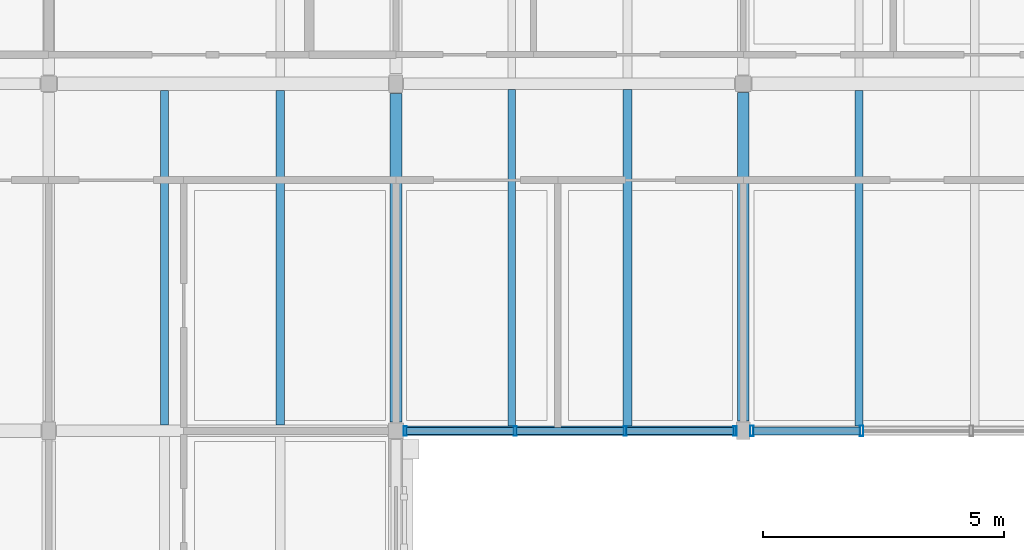
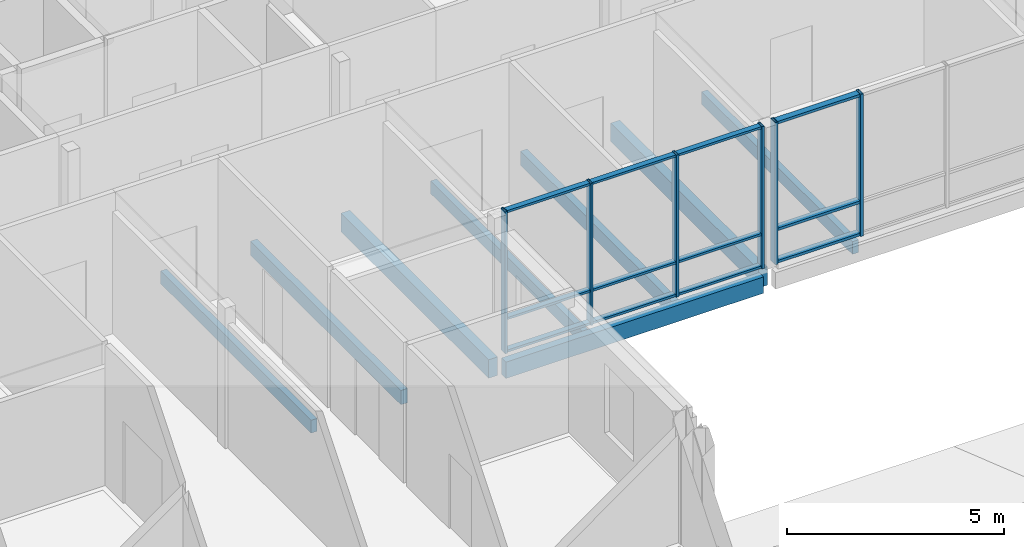
# One storey, part 20 of 115: 18 members, 8 beams, 2 elements without a shape of their own.
"""IFC4 building model written with IfcOpenShell, lengths in metres."""

from ifc_helpers import new_model, si_unit, direction, frame, origin, origin_2d, place, context, subcontext, project, spatial, rectangle, hollow_rectangle, extrude, material, material_profile, profile_set, type_object, element, aggregate, save


model = new_model("IFC4")

# Units and contexts
model_context = context("Model", 3, precision=1e-05, world=origin(), true_north=direction((0.0, 1.0)))
body_context = subcontext(model_context, "Body", "Model", "MODEL_VIEW")
ifc_project = project(units=[si_unit("LENGTHUNIT", "METRE"), si_unit("AREAUNIT", "SQUARE_METRE"), si_unit("VOLUMEUNIT", "CUBIC_METRE"), si_unit("PLANEANGLEUNIT", "RADIAN"), si_unit("MASSUNIT", "GRAM", prefix="KILO")], contexts=[model_context])

# Site, building, storey
site_placement = place(None, origin())
site = spatial("IfcSite", under=ifc_project, at=site_placement, CompositionType="ELEMENT")
building_placement = place(site_placement, origin())
building = spatial("IfcBuilding", under=site, at=building_placement, Name="Hawrajan Terrace Health Centre", CompositionType="ELEMENT")
storey_placement = place(building_placement, frame((0.0, 0.0, 9.0)))
storey = spatial("IfcBuildingStorey", under=building, at=storey_placement, Name="L02", CompositionType="ELEMENT", Elevation=9.0)

# Curtain wall, members
ifc_material_1 = material(Name="Anodized bronze aluminium and low-E solar glazing", Category="aluminium")
curtain_wall_type_1 = type_object("IfcCurtainWallType", Name="CW_Court_SeriesA1", PredefinedType="USERDEFINED", material=ifc_material_1)
curtain_wall_1_placement = place(storey_placement, origin())
curtain_wall_1 = element("IfcCurtainWall", 1, at=curtain_wall_1_placement, inside=storey, type_object=curtain_wall_type_1, Name="Curtain wall CW-L02-121", ObjectType="UNITISED CURTAIN WALL", PredefinedType="USERDEFINED")
ifc_material_2 = material(Name="Anodized bronze aluminium 6063-T6", Category="aluminium")
ifc_material_profile_1 = material_profile(ifc_material_2, hollow_rectangle(XDim=0.06494140625, YDim=0.199951171875, WallThickness=0.00439453125, at=origin_2d()), Name="CW MUL 65x200")
ifc_profile_set_1 = profile_set([ifc_material_profile_1], Name="Anodized bronze aluminium 6063-T6")
member_type_1 = type_object("IfcMemberType", Name="CWMullion_65x200", PredefinedType="MULLION", material=ifc_profile_set_1)
member_1_placement = place(storey_placement, frame((26.392578125, 45.39990234375, -0.0048828125), z_axis=(0.0, 0.0, 1.0), x_axis=(1.0, 0.0, 0.0)))
member_1 = element("IfcMember", 2, at=member_1_placement, type_object=member_type_1, Name="Mullion CW-L02-121-M1", PredefinedType="MULLION", context=body_context, shape_type="SweptSolid", body=[
    extrude(hollow_rectangle(XDim=0.06494140625, YDim=0.199951171875, WallThickness=0.00439453125, at=origin_2d()), origin(), (0.0, 0.0, 1.0), 4.0),
])
member_2_placement = place(storey_placement, frame((28.6708984375, 45.39990234375, -0.0048828125), z_axis=(0.0, 0.0, 1.0), x_axis=(1.0, 0.0, 0.0)))
member_2 = element("IfcMember", 3, at=member_2_placement, type_object=member_type_1, Name="Mullion CW-L02-121-M2", PredefinedType="MULLION", context=body_context, shape_type="SweptSolid", body=[
    extrude(hollow_rectangle(XDim=0.06494140625, YDim=0.199951171875, WallThickness=0.00439453125, at=origin_2d()), origin(), (0.0, 0.0, 1.0), 4.0),
])
member_3_placement = place(storey_placement, frame((30.94921875, 45.39990234375, -0.0048828125), z_axis=(0.0, 0.0, 1.0), x_axis=(1.0, 0.0, 0.0)))
member_3 = element("IfcMember", 4, at=member_3_placement, type_object=member_type_1, Name="Mullion CW-L02-121-M3", PredefinedType="MULLION", context=body_context, shape_type="SweptSolid", body=[
    extrude(hollow_rectangle(XDim=0.06494140625, YDim=0.199951171875, WallThickness=0.00439453125, at=origin_2d()), origin(), (0.0, 0.0, 1.0), 4.0),
])
member_4_placement = place(storey_placement, frame((33.2275390625, 45.39990234375, -0.0048828125), z_axis=(0.0, 0.0, 1.0), x_axis=(1.0, 0.0, 0.0)))
member_4 = element("IfcMember", 5, at=member_4_placement, type_object=member_type_1, Name="Mullion CW-L02-121-M4", PredefinedType="MULLION", context=body_context, shape_type="SweptSolid", body=[
    extrude(hollow_rectangle(XDim=0.06494140625, YDim=0.199951171875, WallThickness=0.00439453125, at=origin_2d()), origin(), (0.0, 0.0, 1.0), 4.0),
])

curtain_wall_type_2 = type_object("IfcCurtainWallType", Name="CW_Court_SeriesB2", PredefinedType="USERDEFINED", material=ifc_material_1)
curtain_wall_2_placement = place(storey_placement, origin())
curtain_wall_2 = element("IfcCurtainWall", 6, at=curtain_wall_2_placement, inside=storey, type_object=curtain_wall_type_2, Name="Curtain wall CW-L02-125", ObjectType="UNITISED CURTAIN WALL", PredefinedType="USERDEFINED")
ifc_material_profile_2 = material_profile(ifc_material_2, hollow_rectangle(XDim=0.074951171875, YDim=0.219970703125, WallThickness=0.0048828125, at=origin_2d()), Name="CW MUL 75x220")
ifc_profile_set_2 = profile_set([ifc_material_profile_2], Name="Anodized bronze aluminium 6063-T6")
member_type_2 = type_object("IfcMemberType", Name="CWMullion_75x220", PredefinedType="MULLION", material=ifc_profile_set_2)
member_5_placement = place(storey_placement, frame((33.577392578125, 45.39990234375, -0.0048828125), z_axis=(0.0, 0.0, 1.0), x_axis=(1.0, 0.0, 0.0)))
member_5 = element("IfcMember", 7, at=member_5_placement, type_object=member_type_2, Name="Mullion CW-L02-125-M1", PredefinedType="MULLION", context=body_context, shape_type="SweptSolid", body=[
    extrude(hollow_rectangle(XDim=0.074951171875, YDim=0.219970703125, WallThickness=0.0048828125, at=origin_2d()), origin(), (0.0, 0.0, 1.0), 4.0),
])
member_6_placement = place(storey_placement, frame((35.8525390625, 45.39990234375, -0.0048828125), z_axis=(0.0, 0.0, 1.0), x_axis=(1.0, 0.0, 0.0)))
member_6 = element("IfcMember", 8, at=member_6_placement, type_object=member_type_2, Name="Mullion CW-L02-125-M2", PredefinedType="MULLION", context=body_context, shape_type="SweptSolid", body=[
    extrude(hollow_rectangle(XDim=0.074951171875, YDim=0.219970703125, WallThickness=0.0048828125, at=origin_2d()), origin(), (0.0, 0.0, 1.0), 4.0),
])

# Member
ifc_material_profile_3 = material_profile(ifc_material_2, hollow_rectangle(XDim=0.06494140625, YDim=0.14990234375, WallThickness=0.00390625, at=origin_2d()), Name="CW TRN 65x150")
ifc_profile_set_3 = profile_set([ifc_material_profile_3], Name="Anodized bronze aluminium 6063-T6")
member_type_3 = type_object("IfcMemberType", Name="CWTransom_65x150", PredefinedType="USERDEFINED", material=ifc_profile_set_3)
member_7_placement = place(storey_placement, frame((26.4189453125, 45.39990234375, 0.032470703125), z_axis=(1.0, 0.0, 0.0), x_axis=(0.0, 0.0, 1.0)))
member_7 = element("IfcMember", 9, at=member_7_placement, type_object=member_type_3, Name="Transom CW-L02-121-T1-1", ObjectType="TRANSOM", PredefinedType="USERDEFINED", context=body_context, shape_type="SweptSolid", body=[
    extrude(hollow_rectangle(XDim=0.06494140625, YDim=0.14990234375, WallThickness=0.00390625, at=origin_2d()), origin(), (0.0, 0.0, 1.0), 2.225341796875),
])

member_8_placement = place(storey_placement, frame((26.4189453125, 45.39990234375, 0.949951171875), z_axis=(1.0, 0.0, 0.0), x_axis=(0.0, 0.0, 1.0)))
member_8 = element("IfcMember", 10, at=member_8_placement, type_object=member_type_3, Name="Transom CW-L02-121-T1-2", ObjectType="TRANSOM", PredefinedType="USERDEFINED", context=body_context, shape_type="SweptSolid", body=[
    extrude(hollow_rectangle(XDim=0.06494140625, YDim=0.14990234375, WallThickness=0.00390625, at=origin_2d()), origin(), (0.0, 0.0, 1.0), 2.225341796875),
])

member_9_placement = place(storey_placement, frame((26.4189453125, 45.39990234375, 3.95751953125), z_axis=(1.0, 0.0, 0.0), x_axis=(0.0, 0.0, 1.0)))
member_9 = element("IfcMember", 11, at=member_9_placement, type_object=member_type_3, Name="Transom CW-L02-121-T1-3", ObjectType="TRANSOM", PredefinedType="USERDEFINED", context=body_context, shape_type="SweptSolid", body=[
    extrude(hollow_rectangle(XDim=0.06494140625, YDim=0.14990234375, WallThickness=0.00390625, at=origin_2d()), origin(), (0.0, 0.0, 1.0), 2.225341796875),
])

member_10_placement = place(storey_placement, frame((28.697265625, 45.39990234375, 0.032470703125), z_axis=(1.0, 0.0, 0.0), x_axis=(0.0, 0.0, 1.0)))
member_10 = element("IfcMember", 12, at=member_10_placement, type_object=member_type_3, Name="Transom CW-L02-121-T2-1", ObjectType="TRANSOM", PredefinedType="USERDEFINED", context=body_context, shape_type="SweptSolid", body=[
    extrude(hollow_rectangle(XDim=0.06494140625, YDim=0.14990234375, WallThickness=0.00390625, at=origin_2d()), origin(), (0.0, 0.0, 1.0), 2.225341796875),
])

member_11_placement = place(storey_placement, frame((28.697265625, 45.39990234375, 0.949951171875), z_axis=(1.0, 0.0, 0.0), x_axis=(0.0, 0.0, 1.0)))
member_11 = element("IfcMember", 13, at=member_11_placement, type_object=member_type_3, Name="Transom CW-L02-121-T2-2", ObjectType="TRANSOM", PredefinedType="USERDEFINED", context=body_context, shape_type="SweptSolid", body=[
    extrude(hollow_rectangle(XDim=0.06494140625, YDim=0.14990234375, WallThickness=0.00390625, at=origin_2d()), origin(), (0.0, 0.0, 1.0), 2.225341796875),
])

member_12_placement = place(storey_placement, frame((28.697265625, 45.39990234375, 3.95751953125), z_axis=(1.0, 0.0, 0.0), x_axis=(0.0, 0.0, 1.0)))
member_12 = element("IfcMember", 14, at=member_12_placement, type_object=member_type_3, Name="Transom CW-L02-121-T2-3", ObjectType="TRANSOM", PredefinedType="USERDEFINED", context=body_context, shape_type="SweptSolid", body=[
    extrude(hollow_rectangle(XDim=0.06494140625, YDim=0.14990234375, WallThickness=0.00390625, at=origin_2d()), origin(), (0.0, 0.0, 1.0), 2.225341796875),
])

member_13_placement = place(storey_placement, frame((30.9755859375, 45.39990234375, 0.032470703125), z_axis=(1.0, 0.0, 0.0), x_axis=(0.0, 0.0, 1.0)))
member_13 = element("IfcMember", 15, at=member_13_placement, type_object=member_type_3, Name="Transom CW-L02-121-T3-1", ObjectType="TRANSOM", PredefinedType="USERDEFINED", context=body_context, shape_type="SweptSolid", body=[
    extrude(hollow_rectangle(XDim=0.06494140625, YDim=0.14990234375, WallThickness=0.00390625, at=origin_2d()), origin(), (0.0, 0.0, 1.0), 2.225341796875),
])

member_14_placement = place(storey_placement, frame((30.9755859375, 45.39990234375, 0.949951171875), z_axis=(1.0, 0.0, 0.0), x_axis=(0.0, 0.0, 1.0)))
member_14 = element("IfcMember", 16, at=member_14_placement, type_object=member_type_3, Name="Transom CW-L02-121-T3-2", ObjectType="TRANSOM", PredefinedType="USERDEFINED", context=body_context, shape_type="SweptSolid", body=[
    extrude(hollow_rectangle(XDim=0.06494140625, YDim=0.14990234375, WallThickness=0.00390625, at=origin_2d()), origin(), (0.0, 0.0, 1.0), 2.225341796875),
])

member_15_placement = place(storey_placement, frame((30.9755859375, 45.39990234375, 3.95751953125), z_axis=(1.0, 0.0, 0.0), x_axis=(0.0, 0.0, 1.0)))
member_15 = element("IfcMember", 17, at=member_15_placement, type_object=member_type_3, Name="Transom CW-L02-121-T3-3", ObjectType="TRANSOM", PredefinedType="USERDEFINED", context=body_context, shape_type="SweptSolid", body=[
    extrude(hollow_rectangle(XDim=0.06494140625, YDim=0.14990234375, WallThickness=0.00390625, at=origin_2d()), origin(), (0.0, 0.0, 1.0), 2.225341796875),
])

aggregate(curtain_wall_1, [member_1, member_2, member_3, member_4, member_7, member_8, member_9, member_10, member_11, member_12, member_13, member_14, member_15])

ifc_material_profile_4 = material_profile(ifc_material_2, hollow_rectangle(XDim=0.074951171875, YDim=0.169921875, WallThickness=0.00439453125, at=origin_2d()), Name="CW TRN 75x170")
ifc_profile_set_4 = profile_set([ifc_material_profile_4], Name="Anodized bronze aluminium 6063-T6")
member_type_4 = type_object("IfcMemberType", Name="CWTransom_75x170", PredefinedType="USERDEFINED", material=ifc_profile_set_4)
member_16_placement = place(storey_placement, frame((33.60888671875, 45.39990234375, 0.03759765625), z_axis=(1.0, 0.0, 0.0), x_axis=(0.0, 0.0, 1.0)))
member_16 = element("IfcMember", 18, at=member_16_placement, type_object=member_type_4, Name="Transom CW-L02-125-T1-1", ObjectType="TRANSOM", PredefinedType="USERDEFINED", context=body_context, shape_type="SweptSolid", body=[
    extrude(hollow_rectangle(XDim=0.074951171875, YDim=0.169921875, WallThickness=0.00439453125, at=origin_2d()), origin(), (0.0, 0.0, 1.0), 2.212158203125),
])

member_17_placement = place(storey_placement, frame((33.60888671875, 45.39990234375, 0.949951171875), z_axis=(1.0, 0.0, 0.0), x_axis=(0.0, 0.0, 1.0)))
member_17 = element("IfcMember", 19, at=member_17_placement, type_object=member_type_4, Name="Transom CW-L02-125-T1-2", ObjectType="TRANSOM", PredefinedType="USERDEFINED", context=body_context, shape_type="SweptSolid", body=[
    extrude(hollow_rectangle(XDim=0.074951171875, YDim=0.169921875, WallThickness=0.00439453125, at=origin_2d()), origin(), (0.0, 0.0, 1.0), 2.212158203125),
])

member_18_placement = place(storey_placement, frame((33.60888671875, 45.39990234375, 3.952392578125), z_axis=(1.0, 0.0, 0.0), x_axis=(0.0, 0.0, 1.0)))
member_18 = element("IfcMember", 20, at=member_18_placement, type_object=member_type_4, Name="Transom CW-L02-125-T1-3", ObjectType="TRANSOM", PredefinedType="USERDEFINED", context=body_context, shape_type="SweptSolid", body=[
    extrude(hollow_rectangle(XDim=0.074951171875, YDim=0.169921875, WallThickness=0.00439453125, at=origin_2d()), origin(), (0.0, 0.0, 1.0), 2.212158203125),
])

aggregate(curtain_wall_2, [member_5, member_6, member_16, member_17, member_18])

# Beams
ifc_material_3 = material(Name="Glulam GL32h", Category="wood")
ifc_material_profile_5 = material_profile(ifc_material_3, rectangle(XDim=0.239990234375, YDim=0.52001953125, at=origin_2d()), Name="GL BM 240x520")
ifc_profile_set_5 = profile_set([ifc_material_profile_5], Name="Glulam GL32h")
beam_type_1 = type_object("IfcBeamType", Name="GlulamGirder_240x520", PredefinedType="BEAM", material=ifc_profile_set_5)
for number, where, z_axis, x_axis, name in (
    (21, (26.199951171875, 45.580078125, -0.5), (0.0, 1.0, 0.0), (-1.0, 0.0, 0.0), "Beam BM-Y-L02-W-X04-6"),
    (22, (33.39990234375, 45.610107421875, -0.5), (0.0, 1.0, 0.0), (-1.0, 0.0, 0.0), "Beam BM-Y-L02-W-X05-6"),
):
    element("IfcBeam", number, at=place(storey_placement, frame(where, z_axis=z_axis, x_axis=x_axis)), inside=storey, type_object=beam_type_1, Name=name, PredefinedType="BEAM", context=body_context, shape_type="SweptSolid", body=[
        extrude(rectangle(XDim=0.239990234375, YDim=0.52001953125, at=origin_2d()), origin(), (0.0, 0.0, 1.0), 6.809814453125),
    ])
ifc_material_4 = material(Name="Glulam GL28h", Category="wood")
ifc_material_profile_6 = material_profile(ifc_material_4, rectangle(XDim=0.159912109375, YDim=0.360107421875, at=origin_2d()), Name="GL JST 160x360")
ifc_profile_set_6 = profile_set([ifc_material_profile_6], Name="Glulam GL28h")
beam_type_2 = type_object("IfcBeamType", Name="GlulamJoist_160x360", PredefinedType="JOIST", material=ifc_profile_set_6)
beam_1_placement = place(storey_placement, frame((21.39990234375, 45.52001953125, -0.419921875), z_axis=(0.0, 1.0, 0.0), x_axis=(-1.0, 0.0, 0.0)))
element("IfcBeam", 23, at=beam_1_placement, inside=storey, type_object=beam_type_2, Name="Secondary joist JST-L02-W-03-6-1", PredefinedType="JOIST", context=body_context, shape_type="SweptSolid", body=[
    extrude(rectangle(XDim=0.159912109375, YDim=0.360107421875, at=origin_2d()), origin(), (0.0, 0.0, 1.0), 6.93994140625),
])
beam_2_placement = place(storey_placement, frame((28.60009765625, 45.5, -0.419921875), z_axis=(0.0, 1.0, 0.0), x_axis=(-1.0, 0.0, 0.0)))
element("IfcBeam", 24, at=beam_2_placement, inside=storey, type_object=beam_type_2, Name="Secondary joist JST-L02-W-04-6-1", PredefinedType="JOIST", context=body_context, shape_type="SweptSolid", body=[
    extrude(rectangle(XDim=0.159912109375, YDim=0.360107421875, at=origin_2d()), origin(), (0.0, 0.0, 1.0), 6.97998046875),
])
beam_3_placement = place(storey_placement, frame((35.800048828125, 45.5, -0.419921875), z_axis=(0.0, 1.0, 0.0), x_axis=(-1.0, 0.0, 0.0)))
element("IfcBeam", 25, at=beam_3_placement, inside=storey, type_object=beam_type_2, Name="Secondary joist JST-L02-W-05-6-1", PredefinedType="JOIST", context=body_context, shape_type="SweptSolid", body=[
    extrude(rectangle(XDim=0.159912109375, YDim=0.360107421875, at=origin_2d()), origin(), (0.0, 0.0, 1.0), 6.9599609375),
])
ifc_material_profile_7 = material_profile(ifc_material_4, rectangle(XDim=0.179931640625, YDim=0.39990234375, at=origin_2d()), Name="GL JST 180x400")
ifc_profile_set_7 = profile_set([ifc_material_profile_7], Name="Glulam GL28h")
beam_type_3 = type_object("IfcBeamType", Name="GlulamJoist_180x400", PredefinedType="JOIST", material=ifc_profile_set_7)
beam_4_placement = place(storey_placement, frame((23.800048828125, 45.52001953125, -0.43994140625), z_axis=(0.0, 1.0, 0.0), x_axis=(-1.0, 0.0, 0.0)))
element("IfcBeam", 26, at=beam_4_placement, inside=storey, type_object=beam_type_3, Name="Secondary joist JST-L02-W-03-6-2", PredefinedType="JOIST", context=body_context, shape_type="SweptSolid", body=[
    extrude(rectangle(XDim=0.179931640625, YDim=0.39990234375, at=origin_2d()), origin(), (0.0, 0.0, 1.0), 6.93994140625),
])
beam_5_placement = place(storey_placement, frame((31.0, 45.5, -0.43994140625), z_axis=(0.0, 1.0, 0.0), x_axis=(-1.0, 0.0, 0.0)))
element("IfcBeam", 27, at=beam_5_placement, inside=storey, type_object=beam_type_3, Name="Secondary joist JST-L02-W-04-6-2", PredefinedType="JOIST", context=body_context, shape_type="SweptSolid", body=[
    extrude(rectangle(XDim=0.179931640625, YDim=0.39990234375, at=origin_2d()), origin(), (0.0, 0.0, 1.0), 6.97998046875),
])
ifc_material_profile_8 = material_profile(ifc_material_3, rectangle(XDim=0.199951171875, YDim=0.4599609375, at=origin_2d()), Name="GL SP 200x460")
ifc_profile_set_8 = profile_set([ifc_material_profile_8], Name="Glulam GL32h")
beam_type_4 = type_object("IfcBeamType", Name="GlulamSpandrel_200x460", PredefinedType="SPANDREL", material=ifc_profile_set_8)
beam_6_placement = place(storey_placement, frame((26.3798828125, 45.39990234375, -0.469970703125), z_axis=(1.0, 0.0, 0.0), x_axis=(0.0, 1.0, 0.0)))
element("IfcBeam", 28, at=beam_6_placement, inside=storey, type_object=beam_type_4, Name="Beam BM-X-L02-W-04-Y6", PredefinedType="SPANDREL", context=body_context, shape_type="SweptSolid", body=[
    extrude(rectangle(XDim=0.199951171875, YDim=0.4599609375, at=origin_2d()), origin(), (0.0, 0.0, 1.0), 6.860107421875),
])

save(model, "model.ifc")
